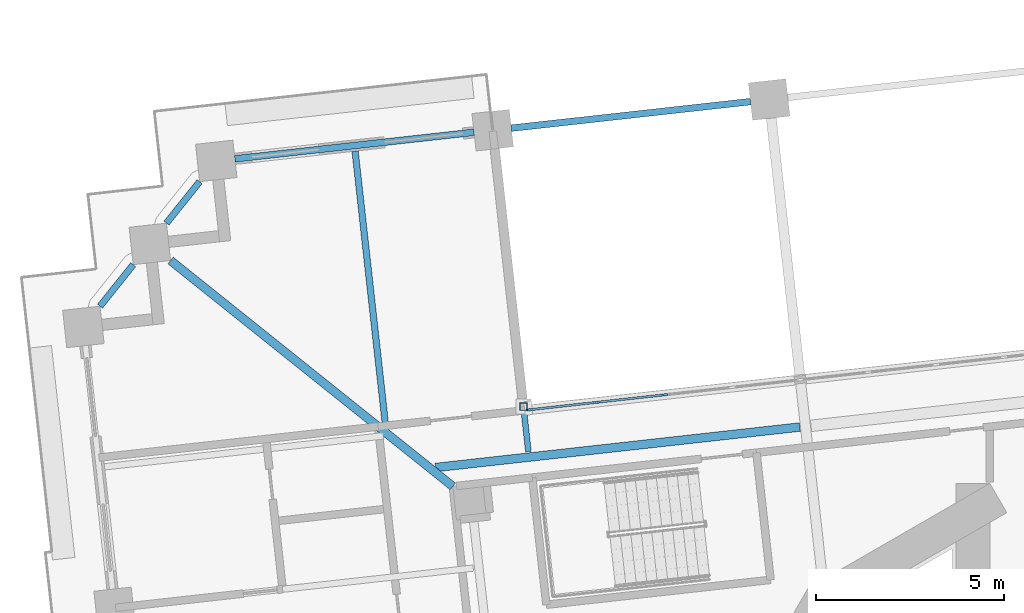
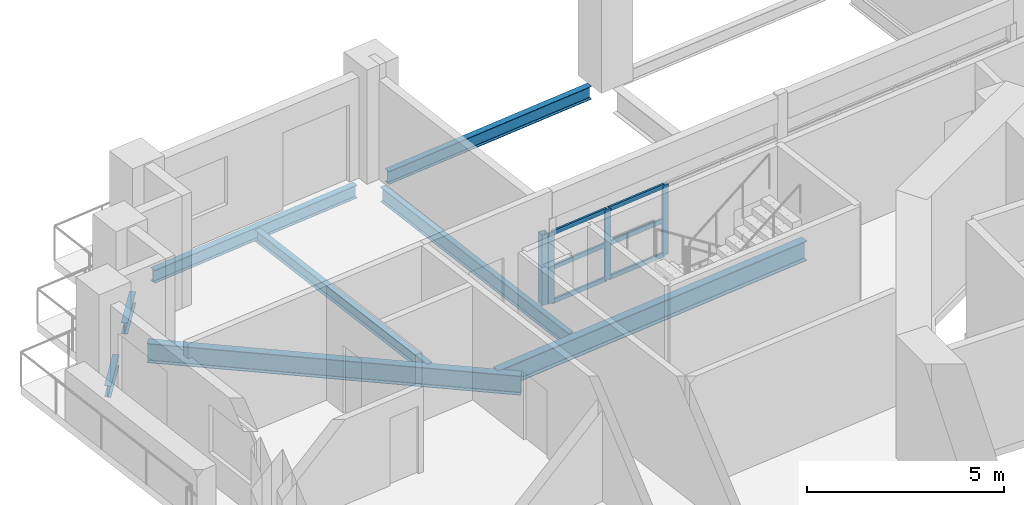
# One storey, part 3 of 21: 10 members, 8 beams, 1 element without a shape of its own.
"""IFC4 building model written with IfcOpenShell, lengths in metres."""

from ifc_helpers import new_model, si_unit, direction, frame, origin, origin_2d, place, context, subcontext, project, spatial, rectangle, hollow_rectangle, i_section, extrude, material, material_profile, profile_set, type_object, element, aggregate, save


model = new_model("IFC4")

# Units and contexts
model_context = context("Model", 3, precision=1e-05, world=origin(), true_north=direction((0.0, 1.0)))
body_context = subcontext(model_context, "Body", "Model", "MODEL_VIEW")
ifc_project = project(units=[si_unit("LENGTHUNIT", "METRE"), si_unit("AREAUNIT", "SQUARE_METRE"), si_unit("VOLUMEUNIT", "CUBIC_METRE"), si_unit("PLANEANGLEUNIT", "RADIAN"), si_unit("MASSUNIT", "GRAM", prefix="KILO")], contexts=[model_context])

# Site, building, storey
site_placement = place(None, origin())
site = spatial("IfcSite", under=ifc_project, at=site_placement, CompositionType="ELEMENT")
building_placement = place(site_placement, origin())
building = spatial("IfcBuilding", under=site, at=building_placement, Name="Cantera Rosa Tower", CompositionType="ELEMENT")
storey_placement = place(building_placement, frame((0.0, 0.0, 57.699951171875)))
storey = spatial("IfcBuildingStorey", under=building, at=storey_placement, Name="L11", CompositionType="ELEMENT", Elevation=57.699951171875)

# Curtain wall, members
ifc_material_1 = material(Name="Aluminium frame with clear glass", Category="aluminium")
curtain_wall_type = type_object("IfcCurtainWallType", Name="CW1 TERRACE POCKET GLAZING", PredefinedType="NOTDEFINED", material=ifc_material_1)
curtain_wall_placement = place(storey_placement, origin())
curtain_wall = element("IfcCurtainWall", 1, at=curtain_wall_placement, inside=storey, type_object=curtain_wall_type, Name="CW1 CW1", PredefinedType="NOTDEFINED")
ifc_material_2 = material(Name="Anodised bronze aluminium", Category="aluminium")
ifc_material_profile_1 = material_profile(ifc_material_2, rectangle(XDim=0.06005859375, YDim=0.179931640625, at=origin_2d()), Name="CW-MULLION 60x180 POCKET")
ifc_profile_set_1 = profile_set([ifc_material_profile_1], Name="Anodised bronze aluminium")
member_type_1 = type_object("IfcMemberType", Name="CW-MULLION 60x180 POCKET", PredefinedType="MULLION", material=ifc_profile_set_1)
member_1_placement = place(storey_placement, frame((-12.657958984375, 13.989013671875, 0.0), z_axis=(0.0, 0.0, 1.0), x_axis=(0.110312555543, -0.993896946413, 0.0)))
member_1 = element("IfcMember", 2, at=member_1_placement, type_object=member_type_1, Name="CW1 mullion 7", PredefinedType="MULLION", context=body_context, shape_type="SweptSolid", body=[
    extrude(rectangle(XDim=0.06005859375, YDim=0.179931640625, at=origin_2d()), origin(), (0.0, 0.0, 1.0), 2.18603515625),
])
member_2_placement = place(storey_placement, frame((-14.465576171875, 13.788330078125, 0.0), z_axis=(0.0, 0.0, 1.0), x_axis=(0.110312555543, -0.993896946413, 0.0)))
member_2 = element("IfcMember", 3, at=member_2_placement, type_object=member_type_1, Name="CW1 mullion 8", PredefinedType="MULLION", context=body_context, shape_type="SweptSolid", body=[
    extrude(rectangle(XDim=0.06005859375, YDim=0.179931640625, at=origin_2d()), origin(), (0.0, 0.0, 1.0), 2.18603515625),
])
member_3_placement = place(storey_placement, frame((-16.243408203125, 13.591064453125, 0.0), z_axis=(0.0, 0.0, 1.0), x_axis=(0.110312555543, -0.993896946413, 0.0)))
member_3 = element("IfcMember", 4, at=member_3_placement, type_object=member_type_1, Name="CW1 mullion 9", PredefinedType="MULLION", context=body_context, shape_type="SweptSolid", body=[
    extrude(rectangle(XDim=0.06005859375, YDim=0.179931640625, at=origin_2d()), origin(), (0.0, 0.0, 1.0), 2.18603515625),
])
ifc_material_3 = material(Name="Anodised bronze aluminium", Category="aluminium")
ifc_material_profile_2 = material_profile(ifc_material_3, rectangle(XDim=0.06005859375, YDim=0.139892578125, at=origin_2d()), Name="CW-TRANSOM 60x140 POCKET")
ifc_profile_set_2 = profile_set([ifc_material_profile_2], Name="Anodised bronze aluminium")
member_type_2 = type_object("IfcMemberType", Name="CW-TRANSOM 60x140 POCKET", PredefinedType="USERDEFINED", material=ifc_profile_set_2)
member_4_placement = place(storey_placement, frame((-12.687744140625, 13.98583984375, 0.030029296875), z_axis=(-0.993892195886, -0.110355348566, 0.0), x_axis=(0.110355348566, -0.993892195886, 0.0)))
member_4 = element("IfcMember", 5, at=member_4_placement, type_object=member_type_2, Name="CW1 transom 7.1", ObjectType="TRANSOM", PredefinedType="USERDEFINED", context=body_context, shape_type="SweptSolid", body=[
    extrude(rectangle(XDim=0.06005859375, YDim=0.139892578125, at=origin_2d()), origin(), (0.0, 0.0, 1.0), 1.7587890625),
])
member_5_placement = place(storey_placement, frame((-12.687744140625, 13.98583984375, 1.093017578125), z_axis=(-0.993892195886, -0.110355348566, 0.0), x_axis=(0.110355348566, -0.993892195886, 0.0)))
member_5 = element("IfcMember", 6, at=member_5_placement, type_object=member_type_2, Name="CW1 transom 7.2", ObjectType="TRANSOM", PredefinedType="USERDEFINED", context=body_context, shape_type="SweptSolid", body=[
    extrude(rectangle(XDim=0.06005859375, YDim=0.139892578125, at=origin_2d()), origin(), (0.0, 0.0, 1.0), 1.7587890625),
])
member_6_placement = place(storey_placement, frame((-12.687744140625, 13.98583984375, 2.156005859375), z_axis=(-0.993892195886, -0.110355348566, 0.0), x_axis=(0.110355348566, -0.993892195886, 0.0)))
member_6 = element("IfcMember", 7, at=member_6_placement, type_object=member_type_2, Name="CW1 transom 7.3", ObjectType="TRANSOM", PredefinedType="USERDEFINED", context=body_context, shape_type="SweptSolid", body=[
    extrude(rectangle(XDim=0.06005859375, YDim=0.139892578125, at=origin_2d()), origin(), (0.0, 0.0, 1.0), 1.7587890625),
])
member_7_placement = place(storey_placement, frame((-14.495361328125, 13.78515625, 0.030029296875), z_axis=(-0.993899224529, -0.110292028184, 0.0), x_axis=(0.110292028184, -0.993899224529, 0.0)))
member_7 = element("IfcMember", 8, at=member_7_placement, type_object=member_type_2, Name="CW1 transom 8.1", ObjectType="TRANSOM", PredefinedType="USERDEFINED", context=body_context, shape_type="SweptSolid", body=[
    extrude(rectangle(XDim=0.06005859375, YDim=0.139892578125, at=origin_2d()), origin(), (0.0, 0.0, 1.0), 1.728759765625),
])
member_8_placement = place(storey_placement, frame((-14.495361328125, 13.78515625, 1.093017578125), z_axis=(-0.993899224529, -0.110292028184, 0.0), x_axis=(0.110292028184, -0.993899224529, 0.0)))
member_8 = element("IfcMember", 9, at=member_8_placement, type_object=member_type_2, Name="CW1 transom 8.2", ObjectType="TRANSOM", PredefinedType="USERDEFINED", context=body_context, shape_type="SweptSolid", body=[
    extrude(rectangle(XDim=0.06005859375, YDim=0.139892578125, at=origin_2d()), origin(), (0.0, 0.0, 1.0), 1.728759765625),
])
member_9_placement = place(storey_placement, frame((-14.495361328125, 13.78515625, 2.156005859375), z_axis=(-0.993899224529, -0.110292028184, 0.0), x_axis=(0.110292028184, -0.993899224529, 0.0)))
member_9 = element("IfcMember", 10, at=member_9_placement, type_object=member_type_2, Name="CW1 transom 8.3", ObjectType="TRANSOM", PredefinedType="USERDEFINED", context=body_context, shape_type="SweptSolid", body=[
    extrude(rectangle(XDim=0.06005859375, YDim=0.139892578125, at=origin_2d()), origin(), (0.0, 0.0, 1.0), 1.728759765625),
])
aggregate(curtain_wall, [member_1, member_2, member_3, member_4, member_5, member_6, member_7, member_8, member_9])

# Member
ifc_material_4 = material(Name="Steel ASTM A992 (Fy 345 MPa)", Category="steel")
ifc_material_profile_3 = material_profile(ifc_material_4, hollow_rectangle(XDim=0.199951171875, YDim=0.199951171875, WallThickness=0.010009765625, at=origin_2d()), Name="LINTEL POST RHS 200x200x10")
ifc_profile_set_3 = profile_set([ifc_material_profile_3], Name="Steel ASTM A992 (Fy 345 MPa)")
member_type_3 = type_object("IfcMemberType", Name="LINTEL POST RHS 200x200x10", PredefinedType="USERDEFINED", material=ifc_profile_set_3)
member_10_placement = place(storey_placement, frame((-16.408447265625, 13.67333984375, 0.0), z_axis=(0.0, 0.0, 1.0), x_axis=(1.0, 0.0, 0.0)))
element("IfcMember", 11, at=member_10_placement, inside=storey, type_object=member_type_3, Name="LINTEL POST L11-2", ObjectType="LINTEL POST", PredefinedType="USERDEFINED", context=body_context, shape_type="SweptSolid", body=[
    extrude(hollow_rectangle(XDim=0.199951171875, YDim=0.199951171875, WallThickness=0.010009765625, at=origin_2d()), origin(), (0.0, 0.0, 1.0), 2.18798828125),
])

# Beams
ifc_material_5 = material(Name="Steel ASTM A992 (Fy 345 MPa)", Category="steel")
ifc_material_profile_4 = material_profile(ifc_material_5, i_section(OverallWidth=0.154052734375, OverallDepth=0.4599609375, WebThickness=0.009033203125, FlangeThickness=0.015380859375, FilletRadius=0.01025390625, at=origin_2d()), Name="W460X68")
ifc_profile_set_4 = profile_set([ifc_material_profile_4], Name="Steel ASTM A992 (Fy 345 MPa)")
beam_type_1 = type_object("IfcBeamType", Name="STEEL BEAM W460X68", PredefinedType="BEAM", material=ifc_profile_set_4)
beam_1_placement = place(storey_placement, frame((-17.169677734375, 20.53125, -0.47998046875), z_axis=(0.110315740112, -0.993896592953, 0.0), x_axis=(0.993896592953, 0.110315740112, 0.0)))
element("IfcBeam", 12, at=beam_1_placement, inside=storey, type_object=beam_type_1, Name="G-Z1-09 L11", PredefinedType="BEAM", context=body_context, shape_type="SweptSolid", body=[
    extrude(i_section(OverallWidth=0.154052734375, OverallDepth=0.4599609375, WebThickness=0.009033203125, FlangeThickness=0.015380859375, FilletRadius=0.01025390625, at=origin_2d()), origin(), (0.0, 0.0, 1.0), 8.099853515625),
])
ifc_material_6 = material(Name="Steel ASTM A992 (Fy 345 MPa)", Category="steel")
ifc_material_profile_5 = material_profile(ifc_material_6, i_section(OverallWidth=0.22802734375, OverallDepth=0.60205078125, WebThickness=0.010498046875, FlangeThickness=0.014892578125, FilletRadius=0.0126953125, at=origin_2d()), Name="W610X101")
ifc_profile_set_5 = profile_set([ifc_material_profile_5], Name="Steel ASTM A992 (Fy 345 MPa)")
beam_type_2 = type_object("IfcBeamType", Name="STEEL BEAM W610X101", PredefinedType="BEAM", material=ifc_profile_set_5)
beam_2_placement = place(storey_placement, frame((-25.794677734375, 17.561767578125, -0.551025390625), z_axis=(0.78078211406, -0.62480340137, 0.0), x_axis=(0.62480340137, 0.78078211406, 0.0)))
element("IfcBeam", 13, at=beam_2_placement, inside=storey, type_object=beam_type_2, Name="CB-Z1-02 L11", PredefinedType="BEAM", context=body_context, shape_type="SweptSolid", body=[
    extrude(i_section(OverallWidth=0.22802734375, OverallDepth=0.60205078125, WebThickness=0.010498046875, FlangeThickness=0.014892578125, FilletRadius=0.0126953125, at=origin_2d()), origin(), (0.0, 0.0, 1.0), 9.61669921875),
])
ifc_material_7 = material(Name="Steel ASTM A992 (Fy 345 MPa)", Category="steel")
ifc_material_profile_6 = material_profile(ifc_material_7, i_section(OverallWidth=0.22900390625, OverallDepth=0.612060546875, WebThickness=0.011962890625, FlangeThickness=0.01953125, FilletRadius=0.0126953125, at=origin_2d()), Name="W610X125")
ifc_profile_set_6 = profile_set([ifc_material_profile_6], Name="Steel ASTM A992 (Fy 345 MPa)")
beam_type_3 = type_object("IfcBeamType", Name="STEEL BEAM W610X125", PredefinedType="BEAM", material=ifc_profile_set_6)
beam_3_placement = place(storey_placement, frame((-18.744384765625, 12.055908203125, -0.555908203125), z_axis=(0.993898383269, 0.110299608956, 0.0), x_axis=(-0.110299608956, 0.993898383269, 0.0)))
element("IfcBeam", 14, at=beam_3_placement, inside=storey, type_object=beam_type_3, Name="RB-Z1-01 L11", PredefinedType="BEAM", context=body_context, shape_type="SweptSolid", body=[
    extrude(i_section(OverallWidth=0.22900390625, OverallDepth=0.612060546875, WebThickness=0.011962890625, FlangeThickness=0.01953125, FilletRadius=0.0126953125, at=origin_2d()), origin(), (0.0, 0.0, 1.0), 9.750244140625),
])
ifc_material_8 = material(Name="Steel ASTM A992 (Fy 345 MPa)", Category="steel")
ifc_material_profile_7 = material_profile(ifc_material_8, i_section(OverallWidth=0.1708984375, OverallDepth=0.35595703125, WebThickness=0.00732421875, FlangeThickness=0.01171875, FilletRadius=0.010009765625, at=origin_2d()), Name="W360X51")
ifc_profile_set_7 = profile_set([ifc_material_profile_7], Name="Steel ASTM A992 (Fy 345 MPa)")
beam_type_4 = type_object("IfcBeamType", Name="STEEL JOIST W360X51", PredefinedType="JOIST", material=ifc_profile_set_7)
beam_4_placement = place(storey_placement, frame((-20.8857421875, 20.470947265625, -0.427978515625), z_axis=(0.110326513132, -0.993895397162, 0.0), x_axis=(0.993895397162, 0.110326513132, 0.0)))
element("IfcBeam", 15, at=beam_4_placement, inside=storey, type_object=beam_type_4, Name="B-Z1-11 L11", PredefinedType="JOIST", context=body_context, shape_type="SweptSolid", body=[
    extrude(i_section(OverallWidth=0.1708984375, OverallDepth=0.35595703125, WebThickness=0.00732421875, FlangeThickness=0.01171875, FilletRadius=0.010009765625, at=origin_2d()), origin(), (0.0, 0.0, 1.0), 7.39990234375),
])
ifc_material_9 = material(Name="Steel ASTM A992 (Fy 345 MPa)", Category="steel")
ifc_material_profile_8 = material_profile(ifc_material_9, i_section(OverallWidth=0.1708984375, OverallDepth=0.35595703125, WebThickness=0.00732421875, FlangeThickness=0.01171875, FilletRadius=0.010009765625, at=origin_2d()), Name="W360X51")
ifc_profile_set_8 = profile_set([ifc_material_profile_8], Name="Steel ASTM A992 (Fy 345 MPa)")
beam_type_5 = type_object("IfcBeamType", Name="STEEL SPANDREL BEAM W360X51", PredefinedType="SPANDREL", material=ifc_profile_set_8)
for number, where, z_axis, x_axis, name in (
    (16, (-25.021484375, 19.659912109375, -0.427978515625), (-0.624758203863, -0.780818280208, 0.0), (0.780818280208, -0.624758203863, 0.0), "EB-Z1-14 L11"),
    (17, (-26.78857421875, 17.451416015625, -0.427978515625), (-0.624758203863, -0.780818280208, 0.0), (0.780818280208, -0.624758203863, 0.0), "EB-Z1-15 L11"),
):
    element("IfcBeam", number, at=place(storey_placement, frame(where, z_axis=z_axis, x_axis=x_axis)), inside=storey, type_object=beam_type_5, Name=name, PredefinedType="SPANDREL", context=body_context, shape_type="SweptSolid", body=[
        extrude(i_section(OverallWidth=0.1708984375, OverallDepth=0.35595703125, WebThickness=0.00732421875, FlangeThickness=0.01171875, FilletRadius=0.010009765625, at=origin_2d()), origin(), (0.0, 0.0, 1.0), 1.414306640625),
    ])
ifc_material_10 = material(Name="Steel ASTM A992 (Fy 345 MPa)", Category="steel")
ifc_material_profile_9 = material_profile(ifc_material_10, i_section(OverallWidth=0.177978515625, OverallDepth=0.406005859375, WebThickness=0.0078125, FlangeThickness=0.0126953125, FilletRadius=0.01025390625, at=origin_2d()), Name="W410X60")
ifc_profile_set_9 = profile_set([ifc_material_profile_9], Name="Steel ASTM A992 (Fy 345 MPa)")
beam_type_6 = type_object("IfcBeamType", Name="STEEL SPANDREL BEAM W410X60", PredefinedType="SPANDREL", material=ifc_profile_set_9)
beam_5_placement = place(storey_placement, frame((-10.366943359375, 21.789306640625, -0.452880859375), z_axis=(-0.993900006422, -0.110284981906, 0.0), x_axis=(0.110284981906, -0.993900006422, 0.0)))
element("IfcBeam", 18, at=beam_5_placement, inside=storey, type_object=beam_type_6, Name="EB-Z1-12 L11", PredefinedType="SPANDREL", context=body_context, shape_type="SweptSolid", body=[
    extrude(i_section(OverallWidth=0.177978515625, OverallDepth=0.406005859375, WebThickness=0.0078125, FlangeThickness=0.0126953125, FilletRadius=0.01025390625, at=origin_2d()), origin(), (0.0, 0.0, 1.0), 6.39990234375),
])
beam_6_placement = place(storey_placement, frame((-17.7216796875, 20.97314453125, -0.452880859375), z_axis=(-0.993896288542, -0.110318482689, 0.0), x_axis=(0.110318482689, -0.993896288542, 0.0)))
element("IfcBeam", 19, at=beam_6_placement, inside=storey, type_object=beam_type_6, Name="EB-Z1-13 L11", PredefinedType="SPANDREL", context=body_context, shape_type="SweptSolid", body=[
    extrude(i_section(OverallWidth=0.177978515625, OverallDepth=0.406005859375, WebThickness=0.0078125, FlangeThickness=0.0126953125, FilletRadius=0.01025390625, at=origin_2d()), origin(), (0.0, 0.0, 1.0), 6.400146484375),
])

save(model, "model.ifc")
